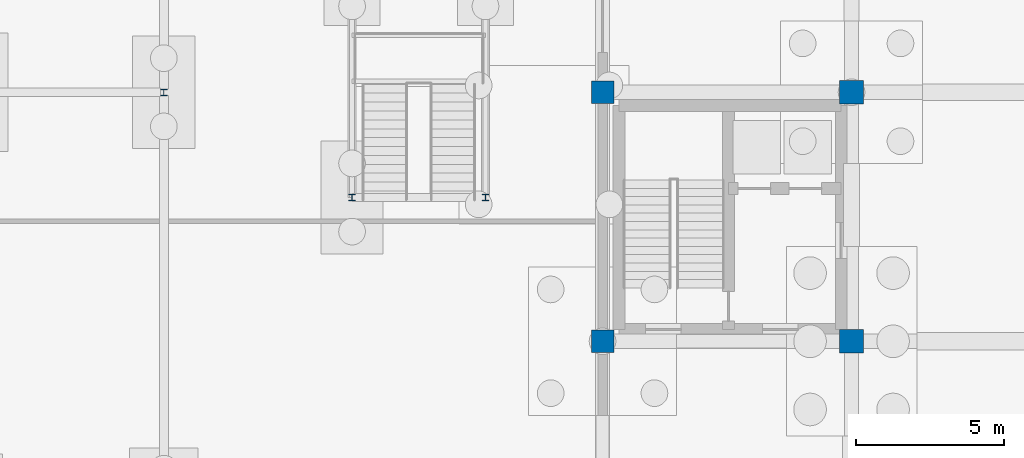
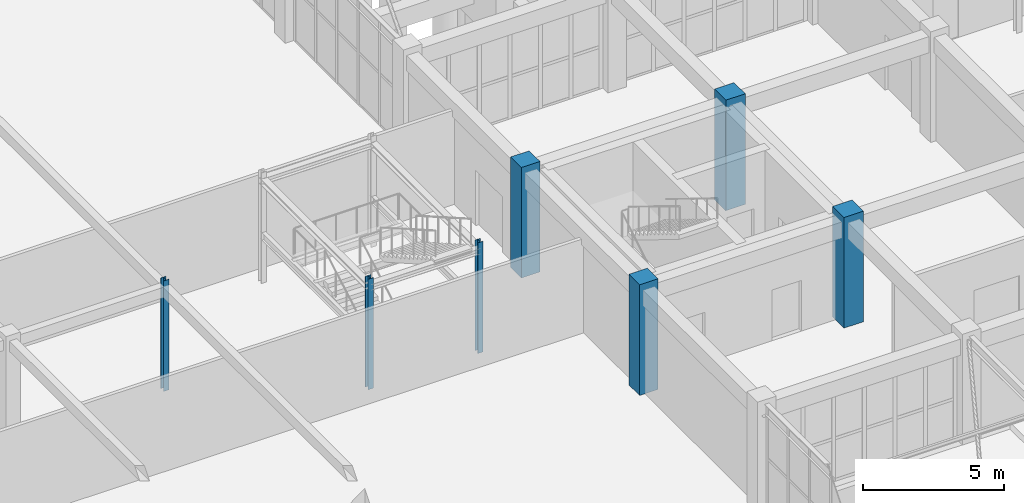
# One storey, part 25 of 192: 7 columns.
"""IFC4 building model written with IfcOpenShell, lengths in metres."""

from ifc_helpers import new_model, si_unit, direction, frame, origin, origin_2d, place, context, subcontext, project, spatial, rectangle, i_section, extrude, material, material_profile, profile_set, type_object, element, save


model = new_model("IFC4")

# Units and contexts
model_context = context("Model", 3, precision=1e-05, world=origin(), true_north=direction((0.0, 1.0)))
body_context = subcontext(model_context, "Body", "Model", "MODEL_VIEW")
ifc_project = project(units=[si_unit("LENGTHUNIT", "METRE"), si_unit("AREAUNIT", "SQUARE_METRE"), si_unit("VOLUMEUNIT", "CUBIC_METRE"), si_unit("PLANEANGLEUNIT", "RADIAN"), si_unit("MASSUNIT", "GRAM", prefix="KILO")], contexts=[model_context])

# Site, building, storey
site_placement = place(None, origin())
site = spatial("IfcSite", under=ifc_project, at=site_placement, CompositionType="ELEMENT")
building_placement = place(site_placement, origin())
building = spatial("IfcBuilding", under=site, at=building_placement, Name="Trelvath General Hospital", CompositionType="ELEMENT")
storey_placement = place(building_placement, origin())
storey = spatial("IfcBuildingStorey", under=building, at=storey_placement, Name="L00", CompositionType="ELEMENT", Elevation=0.0)

# Columns
ifc_material_1 = material(Name="Concrete C40/50", Category="concrete")
ifc_material_profile_1 = material_profile(ifc_material_1, rectangle(XDim=0.760009765625, YDim=0.760009765625, at=origin_2d()), Name="RC760x760")
ifc_profile_set_1 = profile_set([ifc_material_profile_1], Name="Concrete C40/50")
column_type_1 = type_object("IfcColumnType", Name="Column RC760", PredefinedType="COLUMN", material=ifc_profile_set_1)
for number, where, z_axis, x_axis, name in (
    (1, (75.60009765625, 50.39990234375, 0.0), (0.0, 0.0, 1.0), (1.0, 0.0, 0.0), "Column C-10G L00"),
    (2, (75.60009765625, 58.800048828125, 0.0), (0.0, 0.0, 1.0), (1.0, 0.0, 0.0), "Column C-10H L00"),
):
    element("IfcColumn", number, at=place(storey_placement, frame(where, z_axis=z_axis, x_axis=x_axis)), inside=storey, type_object=column_type_1, Name=name, PredefinedType="COLUMN", context=body_context, shape_type="SweptSolid", body=[
        extrude(rectangle(XDim=0.760009765625, YDim=0.760009765625, at=origin_2d()), origin(), (0.0, 0.0, 1.0), 4.800048828125),
    ])
ifc_material_2 = material(Name="Concrete C40/50", Category="concrete")
ifc_material_profile_2 = material_profile(ifc_material_2, rectangle(XDim=0.800048828125, YDim=0.800048828125, at=origin_2d()), Name="RC800x800")
ifc_profile_set_2 = profile_set([ifc_material_profile_2], Name="Concrete C40/50")
column_type_2 = type_object("IfcColumnType", Name="Column RC800", PredefinedType="COLUMN", material=ifc_profile_set_2)
for number, where, z_axis, x_axis, name in (
    (3, (84.0, 50.39990234375, 0.0), (0.0, 0.0, 1.0), (1.0, 0.0, 0.0), "Column C-11G L00"),
    (4, (84.0, 58.800048828125, 0.0), (0.0, 0.0, 1.0), (1.0, 0.0, 0.0), "Column C-11H L00"),
):
    element("IfcColumn", number, at=place(storey_placement, frame(where, z_axis=z_axis, x_axis=x_axis)), inside=storey, type_object=column_type_2, Name=name, PredefinedType="COLUMN", context=body_context, shape_type="SweptSolid", body=[
        extrude(rectangle(XDim=0.800048828125, YDim=0.800048828125, at=origin_2d()), origin(), (0.0, 0.0, 1.0), 4.800048828125),
    ])
ifc_material_3 = material(Name="Steel S355", Category="steel")
ifc_material_profile_3 = material_profile(ifc_material_3, i_section(OverallWidth=0.219970703125, OverallDepth=0.219970703125, WebThickness=0.009521484375, FlangeThickness=0.01611328125, at=origin_2d()), Name="HEB220")
ifc_profile_set_3 = profile_set([ifc_material_profile_3], Name="Steel S355")
column_type_3 = type_object("IfcColumnType", Name="CubePost HEB220", PredefinedType="COLUMN", material=ifc_profile_set_3)
column_placement = place(storey_placement, frame((60.800048828125, 58.800048828125, 0.0), z_axis=(0.0, 0.0, 1.0), x_axis=(1.0, 0.0, 0.0)))
element("IfcColumn", 5, at=column_placement, inside=storey, type_object=column_type_3, Name="Cube Interior Column CC-W39 L00", PredefinedType="COLUMN", context=body_context, shape_type="SweptSolid", body=[
    extrude(i_section(OverallWidth=0.219970703125, OverallDepth=0.219970703125, WebThickness=0.009521484375, FlangeThickness=0.01611328125, at=origin_2d()), origin(), (0.0, 0.0, 1.0), 4.800048828125),
])
ifc_material_4 = material(Name="Steel S355", Category="steel")
ifc_material_profile_4 = material_profile(ifc_material_4, i_section(OverallWidth=0.219970703125, OverallDepth=0.2099609375, WebThickness=0.007080078125, FlangeThickness=0.010986328125, at=origin_2d()), Name="HEA220")
ifc_profile_set_4 = profile_set([ifc_material_profile_4], Name="Steel S355")
column_type_4 = type_object("IfcColumnType", Name="StairPost HEA220", PredefinedType="COLUMN", material=ifc_profile_set_4)
for number, where, z_axis, x_axis, name in (
    (6, (67.14990234375, 55.25, 0.0), (0.0, 0.0, 1.0), (1.0, 0.0, 0.0), "Atrium Stair Post CUBE-W 1 L00"),
    (7, (71.64990234375, 55.25, 0.0), (0.0, 0.0, 1.0), (1.0, 0.0, 0.0), "Atrium Stair Post CUBE-W 2 L00"),
):
    element("IfcColumn", number, at=place(storey_placement, frame(where, z_axis=z_axis, x_axis=x_axis)), inside=storey, type_object=column_type_4, Name=name, PredefinedType="COLUMN", context=body_context, shape_type="SweptSolid", body=[
        extrude(i_section(OverallWidth=0.219970703125, OverallDepth=0.2099609375, WebThickness=0.007080078125, FlangeThickness=0.010986328125, at=origin_2d()), origin(), (0.0, 0.0, 1.0), 4.800048828125),
    ])

save(model, "model.ifc")
